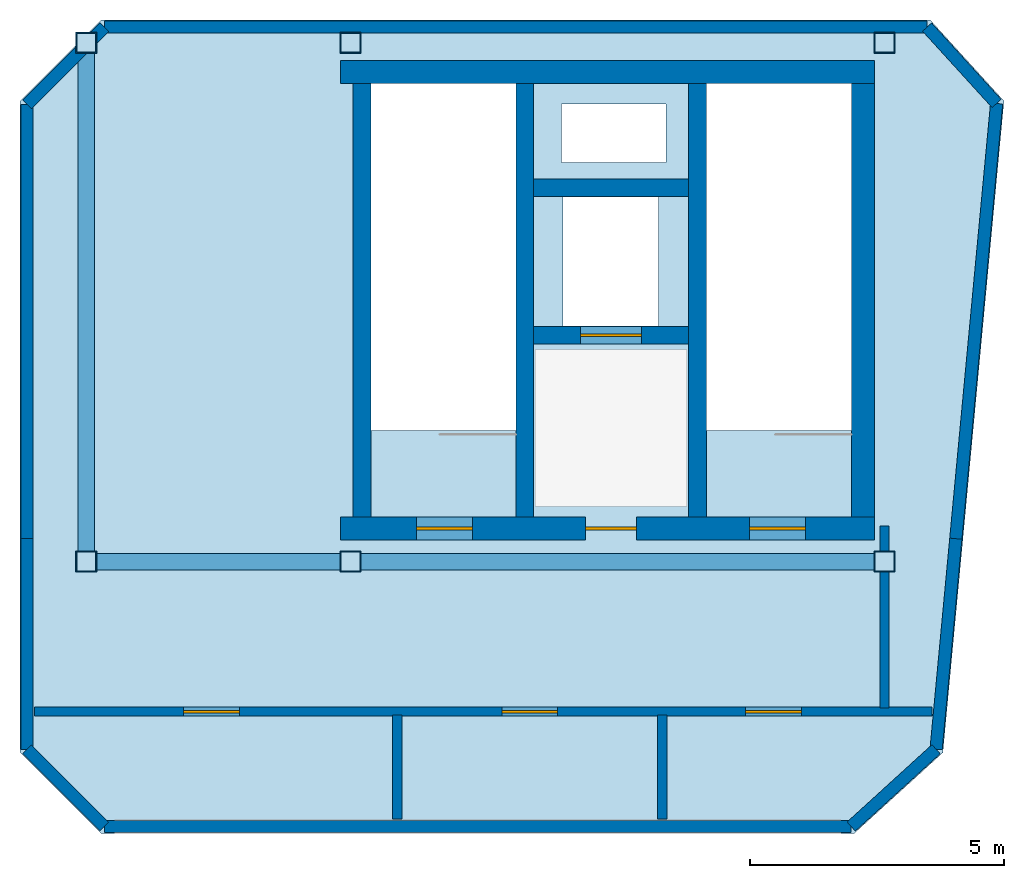
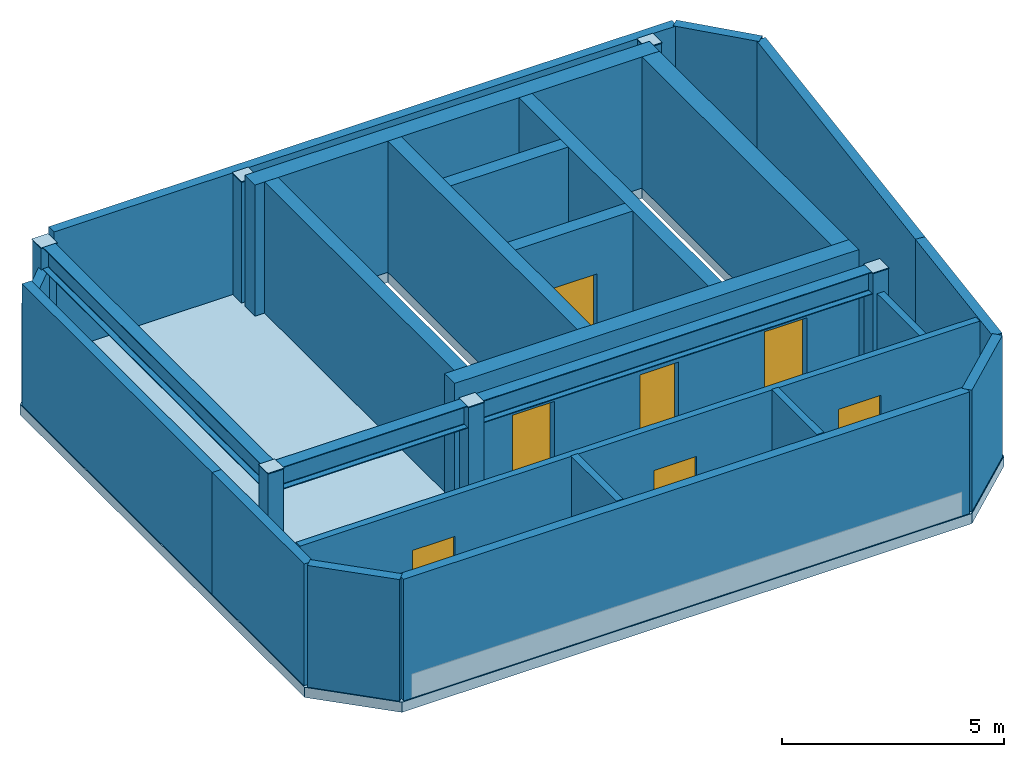
# One storey, part 1 of 2: 22 walls, 7 doors, 6 columns, 6 plates, 3 beams, 1 slab, 7 openings.
"""IFC4 building model written with IfcOpenShell, lengths in metres."""

from ifc_helpers import new_model, si_unit, direction, frame, frame_2d, origin, origin_2d, place, context, subcontext, project, spatial, polyline, rectangle, hollow_rectangle, i_section, outline, extrude, material, layer, layer_set, material_profile, profile_set, type_object, element, fill, save


model = new_model("IFC4")

# Units and contexts
model_context = context("Model", 3, precision=1e-05, world=origin(), true_north=direction((0.0, 1.0)))
body_context = subcontext(model_context, "Body", "Model", "MODEL_VIEW")
ifc_project = project(units=[si_unit("LENGTHUNIT", "METRE"), si_unit("AREAUNIT", "SQUARE_METRE"), si_unit("VOLUMEUNIT", "CUBIC_METRE"), si_unit("PLANEANGLEUNIT", "RADIAN"), si_unit("MASSUNIT", "GRAM", prefix="KILO")], contexts=[model_context])

# Site, building, storey
site_placement = place(None, origin())
site = spatial("IfcSite", under=ifc_project, at=site_placement, CompositionType="ELEMENT")
building_placement = place(site_placement, origin())
building = spatial("IfcBuilding", under=site, at=building_placement, Name="Kravanh Interchange Tower", CompositionType="ELEMENT")
storey_placement = place(building_placement, frame((0.0, 0.0, 333.60009765625)))
storey = spatial("IfcBuildingStorey", under=building, at=storey_placement, Name="L83", CompositionType="ELEMENT", Elevation=333.60009765625)

# Columns
ifc_material_1 = material(Name="Structural Steel S355", Category="steel")
ifc_material_profile_1 = material_profile(ifc_material_1, hollow_rectangle(XDim=0.39990234375, YDim=0.39990234375, WallThickness=0.01611328125, at=origin_2d()), Name="HSS400X400X16")
ifc_profile_set_1 = profile_set([ifc_material_profile_1], Name="Structural Steel S355")
column_type = type_object("IfcColumnType", Name="Column HSS400X400X16 Structural Steel S355", PredefinedType="COLUMN", material=ifc_profile_set_1)
for number, where, z_axis, x_axis, name in (
    (1, (66.5, 47.550048828125, 0.0), (0.0, 0.0, 1.0), (1.0, 0.0, 0.0), "L83 Column CS01"),
    (2, (56.0, 47.550048828125, 0.0), (0.0, 0.0, 1.0), (1.0, 0.0, 0.0), "L83 Column CS02"),
    (3, (66.5, 37.35009765625, 0.0), (0.0, 0.0, 1.0), (1.0, 0.0, 0.0), "L83 Column CS03"),
    (4, (56.0, 37.35009765625, 0.0), (0.0, 0.0, 1.0), (1.0, 0.0, 0.0), "L83 Column CS04"),
    (5, (50.800048828125, 47.550048828125, 0.0), (0.0, 0.0, 1.0), (1.0, 0.0, 0.0), "L83 Column CS05"),
    (6, (50.800048828125, 37.35009765625, 0.0), (0.0, 0.0, 1.0), (1.0, 0.0, 0.0), "L83 Column CS06"),
):
    element("IfcColumn", number, at=place(storey_placement, frame(where, z_axis=z_axis, x_axis=x_axis)), inside=storey, type_object=column_type, Name=name, PredefinedType="COLUMN", context=body_context, shape_type="SweptSolid", body=[
        extrude(hollow_rectangle(XDim=0.39990234375, YDim=0.39990234375, WallThickness=0.01611328125, at=origin_2d()), origin(), (0.0, 0.0, 1.0), 3.31494140625),
    ])

# Beams
ifc_material_2 = material(Name="Structural Steel S355", Category="steel")
ifc_material_profile_2 = material_profile(ifc_material_2, i_section(OverallWidth=0.323974609375, OverallDepth=0.611083984375, WebThickness=0.0126953125, FlangeThickness=0.01904296875, FilletRadius=0.02197265625, at=origin_2d()), Name="W24X104")
ifc_profile_set_2 = profile_set([ifc_material_profile_2], Name="Structural Steel S355")
beam_type = type_object("IfcBeamType", Name="Floor Beam W24X104 Structural Steel S355", PredefinedType="BEAM", material=ifc_profile_set_2)
beam_1_placement = place(storey_placement, frame((66.5, 37.35009765625, 3.034423828125), z_axis=(-1.0, 0.0, 0.0), x_axis=(0.0, -1.0, 0.0)))
element("IfcBeam", 7, at=beam_1_placement, inside=storey, type_object=beam_type, Name="L83 Primary Floor Girder 5", PredefinedType="BEAM", context=body_context, shape_type="SweptSolid", body=[
    extrude(i_section(OverallWidth=0.323974609375, OverallDepth=0.611083984375, WebThickness=0.0126953125, FlangeThickness=0.01904296875, FilletRadius=0.02197265625, at=origin_2d()), origin(), (0.0, 0.0, 1.0), 10.5),
])
beam_2_placement = place(storey_placement, frame((56.0, 37.35009765625, 3.034423828125), z_axis=(-1.0, 0.0, 0.0), x_axis=(0.0, -1.0, 0.0)))
element("IfcBeam", 8, at=beam_2_placement, inside=storey, type_object=beam_type, Name="L83 Primary Floor Girder 6", PredefinedType="BEAM", context=body_context, shape_type="SweptSolid", body=[
    extrude(i_section(OverallWidth=0.323974609375, OverallDepth=0.611083984375, WebThickness=0.0126953125, FlangeThickness=0.01904296875, FilletRadius=0.02197265625, at=origin_2d()), origin(), (0.0, 0.0, 1.0), 5.199951171875),
])
beam_3_placement = place(storey_placement, frame((50.800048828125, 47.550048828125, 3.034423828125), z_axis=(0.0, -1.0, 0.0), x_axis=(1.0, 0.0, 0.0)))
element("IfcBeam", 9, at=beam_3_placement, inside=storey, type_object=beam_type, Name="L83 Primary Floor Girder 7", PredefinedType="BEAM", context=body_context, shape_type="SweptSolid", body=[
    extrude(i_section(OverallWidth=0.323974609375, OverallDepth=0.611083984375, WebThickness=0.0126953125, FlangeThickness=0.01904296875, FilletRadius=0.02197265625, at=origin_2d()), origin(), (0.0, 0.0, 1.0), 10.199951171875),
])

# Plates
ifc_material_3 = material(Name="Structural Steel S355", Category="steel")
ifc_layer_1 = layer(ifc_material_3, 0.02490234375)
ifc_layer_set_1 = layer_set([ifc_layer_1], Name="Column End Cap Plate 420x420x25 S355")
plate_type = type_object("IfcPlateType", Name="Column End Cap Plate 420x420x25 S355", PredefinedType="SHEET", material=ifc_layer_set_1)
for number, where, z_axis, x_axis, name in (
    (10, (66.5, 47.550048828125, 3.31494140625), (0.0, 0.0, 1.0), (1.0, 0.0, 0.0), "L83 Hollow Column CS01 End Cap Plate"),
    (11, (56.0, 47.550048828125, 3.31494140625), (0.0, 0.0, 1.0), (1.0, 0.0, 0.0), "L83 Hollow Column CS02 End Cap Plate"),
    (12, (66.5, 37.35009765625, 3.31494140625), (0.0, 0.0, 1.0), (1.0, 0.0, 0.0), "L83 Hollow Column CS03 End Cap Plate"),
    (13, (56.0, 37.35009765625, 3.31494140625), (0.0, 0.0, 1.0), (1.0, 0.0, 0.0), "L83 Hollow Column CS04 End Cap Plate"),
    (14, (50.800048828125, 47.550048828125, 3.31494140625), (0.0, 0.0, 1.0), (1.0, 0.0, 0.0), "L83 Hollow Column CS05 End Cap Plate"),
    (15, (50.800048828125, 37.35009765625, 3.31494140625), (0.0, 0.0, 1.0), (1.0, 0.0, 0.0), "L83 Hollow Column CS06 End Cap Plate"),
):
    element("IfcPlate", number, at=place(storey_placement, frame(where, z_axis=z_axis, x_axis=x_axis)), inside=storey, type_object=plate_type, Name=name, PredefinedType="SHEET", context=body_context, shape_type="SweptSolid", body=[
        extrude(rectangle(XDim=0.419921875, YDim=0.419921875, at=origin_2d()), origin(), (0.0, 0.0, 1.0), 0.02490234375),
    ])

# Slab
ifc_material_4 = material(Name="Concrete C60/75", Category="concrete")
ifc_layer_2 = layer(ifc_material_4, 0.280029296875)
ifc_layer_set_2 = layer_set([ifc_layer_2], Name="Composite Floor Slab Concrete C60/75 280mm")
slab_type = type_object("IfcSlabType", Name="Composite Floor Slab Concrete C60/75 280mm", PredefinedType="FLOOR", material=ifc_layer_set_2)
slab_placement = place(storey_placement, frame((0.0, 0.0, -0.280029296875)))
element("IfcSlab", 16, at=slab_placement, inside=storey, type_object=slab_type, Name="L83 Structural Floor Slab", PredefinedType="FLOOR", context=body_context, shape_type="SweptSolid", body=[
    extrude(outline(polyline([(49.5, 33.60009765625), (51.10009765625, 32.0), (65.89990234375, 32.0), (67.6494140625, 33.593017578125), (68.8505859375, 46.406982421875), (67.39990234375, 48.0), (51.10009765625, 48.0), (49.5, 46.39990234375), (49.5, 33.60009765625)]), holes=[polyline([(65.85009765625, 39.925048828125), (65.85009765625, 46.75), (63.0, 46.75), (63.0, 39.925048828125), (65.85009765625, 39.925048828125)]), polyline([(59.25, 39.925048828125), (59.25, 46.75), (56.39990234375, 46.75), (56.39990234375, 39.925048828125), (59.25, 39.925048828125)]), polyline([(60.179931640625, 41.97998046875), (62.06005859375, 41.97998046875), (62.06005859375, 44.52001953125), (60.179931640625, 44.52001953125), (60.179931640625, 41.97998046875)]), polyline([(60.14990234375, 45.199951171875), (62.199951171875, 45.199951171875), (62.199951171875, 46.35009765625), (60.14990234375, 46.35009765625), (60.14990234375, 45.199951171875)])]), origin(), (0.0, 0.0, 1.0), 0.280029296875),
])

# Walls
ifc_material_5 = material(Name="Concrete C60/75", Category="concrete")
ifc_layer_3 = layer(ifc_material_5, 0.35009765625)
ifc_layer_set_3 = layer_set([ifc_layer_3], Name="Core Shear Wall Concrete C60/75 350mm")
wall_type_1 = type_object("IfcWallType", Name="Core Shear Wall Concrete C60/75 350mm", PredefinedType="SHEAR", material=ifc_layer_set_3)
for number, where, z_axis, x_axis, name in (
    (17, (62.824951171875, 38.22509765625, 0.0), (0.0, 0.0, 1.0), (0.0, 1.0, 0.0), "L83 Stair ST1 West Shear Wall"),
    (18, (59.425048828125, 38.22509765625, 0.0), (0.0, 0.0, 1.0), (0.0, 1.0, 0.0), "L83 Stair ST2 East Shear Wall"),
    (19, (56.22509765625, 38.22509765625, 0.0), (0.0, 0.0, 1.0), (0.0, 1.0, 0.0), "L83 Stair ST2 West Shear Wall"),
):
    element("IfcWall", number, at=place(storey_placement, frame(where, z_axis=z_axis, x_axis=x_axis)), inside=storey, type_object=wall_type_1, Name=name, PredefinedType="SHEAR", context=body_context, shape_type="SweptSolid", body=[
        extrude(rectangle(XDim=8.52490234375, YDim=0.35009765625, at=frame_2d((4.262451171875, 0.0))), origin(), (0.0, 0.0, 1.0), 3.599853515625),
    ])

# Wall, opening, door
wall_1_placement = place(storey_placement, frame((59.60009765625, 41.800048828125, 0.0), z_axis=(0.0, 0.0, 1.0), x_axis=(1.0, 0.0, 0.0)))
wall_1 = element("IfcWall", 20, at=wall_1_placement, inside=storey, type_object=wall_type_1, Name="L83 Service Lift Shaft South Wall", PredefinedType="SHEAR", context=body_context, shape_type="SweptSolid", body=[
    extrude(rectangle(XDim=3.0498046875, YDim=0.35009765625, at=frame_2d((1.52490234375, 0.0))), origin(), (0.0, 0.0, 1.0), 3.599853515625),
])
opening_1_placement = place(wall_1_placement, frame((0.919921875, 0.0, 0.0)))
opening_1 = element("IfcOpeningElement", 21, at=opening_1_placement, cuts=wall_1, Name="Opening LD02", PredefinedType="OPENING", context=body_context, shape_type="SweptSolid", body=[
    extrude(rectangle(XDim=1.199951171875, YDim=2.199951171875, at=frame_2d((0.60009765625, 1.10009765625))), frame((0.0, 0.18505859375, 0.0), z_axis=(0.0, -1.0, 0.0), x_axis=(1.0, 0.0, 0.0)), (0.0, 0.0, 1.0), 0.3701171875),
])
ifc_material_6 = material(Name="Stainless Steel 316", Category="steel")
door_type_1 = type_object("IfcDoorType", Name="Fire and Service Lift Sliding Landing Door 1200x2200", OperationType="DOUBLE_DOOR_SLIDING", PredefinedType="DOOR", material=ifc_material_6)
door_1_placement = place(opening_1_placement, origin())
door_1 = element("IfcDoor", 22, at=door_1_placement, inside=storey, type_object=door_type_1, Name="L83 Lift LS-01 Landing Door", OperationType="DOUBLE_DOOR_SLIDING", OverallHeight=2.199951171875, OverallWidth=1.199951171875, PredefinedType="DOOR", context=body_context, shape_type="SweptSolid", body=[
    extrude(rectangle(XDim=1.199951171875, YDim=2.199951171875, at=frame_2d((0.60009765625, 1.10009765625))), frame((0.0, 0.02490234375, 0.0), z_axis=(0.0, -1.0, 0.0), x_axis=(1.0, 0.0, 0.0)), (0.0, 0.0, 1.0), 0.050048828125),
])
fill(opening_1, door_1)

# Walls
wall_2_placement = place(storey_placement, frame((59.60009765625, 44.699951171875, 0.0), z_axis=(0.0, 0.0, 1.0), x_axis=(1.0, 0.0, 0.0)))
element("IfcWall", 23, at=wall_2_placement, inside=storey, type_object=wall_type_1, Name="L83 Service Lift Shaft North Wall", PredefinedType="SHEAR", context=body_context, shape_type="SweptSolid", body=[
    extrude(rectangle(XDim=3.0498046875, YDim=0.35009765625, at=frame_2d((1.52490234375, 0.0))), origin(), (0.0, 0.0, 1.0), 3.599853515625),
])
ifc_material_7 = material(Name="Concrete C60/75", Category="concrete")
ifc_layer_4 = layer(ifc_material_7, 0.449951171875)
ifc_layer_set_4 = layer_set([ifc_layer_4], Name="Core Shear Wall Concrete C60/75 450mm")
wall_type_2 = type_object("IfcWallType", Name="Core Shear Wall Concrete C60/75 450mm", PredefinedType="SHEAR", material=ifc_layer_set_4)
wall_3_placement = place(storey_placement, frame((55.800048828125, 46.97509765625, 0.0), z_axis=(0.0, 0.0, 1.0), x_axis=(1.0, 0.0, 0.0)))
element("IfcWall", 24, at=wall_3_placement, inside=storey, type_object=wall_type_2, Name="L83 North Core Shear Wall", PredefinedType="SHEAR", context=body_context, shape_type="SweptSolid", body=[
    extrude(rectangle(XDim=10.5, YDim=0.449951171875, at=frame_2d((5.25, 0.0))), origin(), (0.0, 0.0, 1.0), 3.599853515625),
])

# Wall, openings, doors
wall_4_placement = place(storey_placement, frame((55.800048828125, 38.0, 0.0), z_axis=(0.0, 0.0, 1.0), x_axis=(1.0, 0.0, 0.0)))
wall_4 = element("IfcWall", 25, at=wall_4_placement, inside=storey, type_object=wall_type_2, Name="L83 East Core South Shear Wall", PredefinedType="SHEAR", context=body_context, shape_type="SweptSolid", body=[
    extrude(rectangle(XDim=10.5, YDim=0.449951171875, at=frame_2d((5.25, 0.0))), origin(), (0.0, 0.0, 1.0), 3.599853515625),
])
opening_2_placement = place(wall_4_placement, frame((1.5, 0.0, 0.0)))
opening_2 = element("IfcOpeningElement", 26, at=opening_2_placement, cuts=wall_4, Name="Opening D-STAIR-110", PredefinedType="OPENING", context=body_context, shape_type="SweptSolid", body=[
    extrude(rectangle(XDim=1.10009765625, YDim=2.199951171875, at=frame_2d((0.550048828125, 1.10009765625))), frame((0.0, 0.23486328125, 0.0), z_axis=(0.0, -1.0, 0.0), x_axis=(1.0, 0.0, 0.0)), (0.0, 0.0, 1.0), 0.469970703125),
])
opening_3_placement = place(wall_4_placement, frame((4.820068359375, 0.0, 0.0)))
opening_3 = element("IfcOpeningElement", 27, at=opening_3_placement, cuts=wall_4, Name="Opening D-HOTEL-100", PredefinedType="OPENING", context=body_context, shape_type="SweptSolid", body=[
    extrude(rectangle(XDim=1.0, YDim=2.14990234375, at=frame_2d((0.5, 1.074951171875))), frame((0.0, 0.23486328125, 0.0), z_axis=(0.0, -1.0, 0.0), x_axis=(1.0, 0.0, 0.0)), (0.0, 0.0, 1.0), 0.469970703125),
])
opening_4_placement = place(wall_4_placement, frame((8.050048828125, 0.0, 0.0)))
opening_4 = element("IfcOpeningElement", 28, at=opening_4_placement, cuts=wall_4, Name="Opening D-STAIR-110", PredefinedType="OPENING", context=body_context, shape_type="SweptSolid", body=[
    extrude(rectangle(XDim=1.10009765625, YDim=2.199951171875, at=frame_2d((0.550048828125, 1.10009765625))), frame((0.0, 0.23486328125, 0.0), z_axis=(0.0, -1.0, 0.0), x_axis=(1.0, 0.0, 0.0)), (0.0, 0.0, 1.0), 0.469970703125),
])
ifc_material_8 = material(Name="Structural Steel S355", Category="steel")
door_type_2 = type_object("IfcDoorType", Name="Fire-Rated Exit Stair Door 1100x2200", OperationType="NOTDEFINED", PredefinedType="DOOR", material=ifc_material_8)
door_2_placement = place(opening_2_placement, origin())
door_2 = element("IfcDoor", 29, at=door_2_placement, inside=storey, type_object=door_type_2, Name="L83 Exit Stair ST2 Door", OperationType="SINGLE_SWING_RIGHT", OverallHeight=2.199951171875, OverallWidth=1.10009765625, PredefinedType="DOOR", context=body_context, shape_type="SweptSolid", body=[
    extrude(rectangle(XDim=1.10009765625, YDim=2.199951171875, at=frame_2d((0.550048828125, 1.10009765625))), frame((0.0, 0.02490234375, 0.0), z_axis=(0.0, -1.0, 0.0), x_axis=(1.0, 0.0, 0.0)), (0.0, 0.0, 1.0), 0.050048828125),
])
fill(opening_2, door_2)
door_3_placement = place(opening_4_placement, origin())
door_3 = element("IfcDoor", 30, at=door_3_placement, inside=storey, type_object=door_type_2, Name="L83 Exit Stair ST1 Door", OperationType="SINGLE_SWING_RIGHT", OverallHeight=2.199951171875, OverallWidth=1.10009765625, PredefinedType="DOOR", context=body_context, shape_type="SweptSolid", body=[
    extrude(rectangle(XDim=1.10009765625, YDim=2.199951171875, at=frame_2d((0.550048828125, 1.10009765625))), frame((0.0, 0.02490234375, 0.0), z_axis=(0.0, -1.0, 0.0), x_axis=(1.0, 0.0, 0.0)), (0.0, 0.0, 1.0), 0.050048828125),
])
fill(opening_4, door_3)
ifc_material_9 = material(Name="Fire-Rated Solid Timber Leaf", Category="wood")
door_type_3 = type_object("IfcDoorType", Name="Fire-Rated Suite Entrance Door 1000x2150", OperationType="NOTDEFINED", PredefinedType="DOOR", material=ifc_material_9)
door_4_placement = place(opening_3_placement, origin())
door_4 = element("IfcDoor", 31, at=door_4_placement, inside=storey, type_object=door_type_3, Name="L83 Service Lift Lobby Door", OperationType="SINGLE_SWING_RIGHT", OverallHeight=2.14990234375, OverallWidth=1.0, PredefinedType="DOOR", context=body_context, shape_type="SweptSolid", body=[
    extrude(rectangle(XDim=1.0, YDim=2.14990234375, at=frame_2d((0.5, 1.074951171875))), frame((0.0, 0.02490234375, 0.0), z_axis=(0.0, -1.0, 0.0), x_axis=(1.0, 0.0, 0.0)), (0.0, 0.0, 1.0), 0.050048828125),
])
fill(opening_3, door_4)

# Walls
wall_5_placement = place(storey_placement, frame((66.074951171875, 38.22509765625, 0.0), z_axis=(0.0, 0.0, 1.0), x_axis=(0.0, 1.0, 0.0)))
element("IfcWall", 32, at=wall_5_placement, inside=storey, type_object=wall_type_2, Name="L83 Stair ST1 East Shear Wall", PredefinedType="SHEAR", context=body_context, shape_type="SweptSolid", body=[
    extrude(rectangle(XDim=8.52490234375, YDim=0.449951171875, at=frame_2d((4.262451171875, 0.0))), origin(), (0.0, 0.0, 1.0), 3.599853515625),
])
ifc_material_10 = material(Name="Insulated Concrete C40/50 with Bronze Rainscreen", Category="concrete")
ifc_layer_5 = layer(ifc_material_10, 0.239990234375)
ifc_layer_set_5 = layer_set([ifc_layer_5], Name="Exterior Insulated Concrete C40/50 Crown Enclosure Wall 240mm")
wall_type_3 = type_object("IfcWallType", Name="Exterior Insulated Concrete C40/50 Crown Enclosure Wall 240mm", PredefinedType="STANDARD", material=ifc_layer_set_5)
wall_6_placement = place(storey_placement, frame((49.639892578125, 33.657958984375, 0.0), z_axis=(0.0, 0.0, 1.0), x_axis=(0.0, 1.0, 0.0)))
element("IfcWall", 33, at=wall_6_placement, inside=storey, type_object=wall_type_3, Name="L83 Exterior Enclosure Wall 1", PredefinedType="STANDARD", context=body_context, shape_type="SweptSolid", body=[
    extrude(rectangle(XDim=4.14208984375, YDim=0.239990234375, at=frame_2d((2.071044921875, 0.0))), origin(), (0.0, 0.0, 1.0), 3.33984375),
])
wall_7_placement = place(storey_placement, frame((49.639892578125, 37.800048828125, 0.0), z_axis=(0.0, 0.0, 1.0), x_axis=(0.0, 1.0, 0.0)))
element("IfcWall", 34, at=wall_7_placement, inside=storey, type_object=wall_type_3, Name="L83 Exterior Enclosure Wall 2", PredefinedType="STANDARD", context=body_context, shape_type="SweptSolid", body=[
    extrude(rectangle(XDim=8.5419921875, YDim=0.239990234375, at=frame_2d((4.27099609375, 0.0))), origin(), (0.0, 0.0, 1.0), 3.33984375),
])
wall_8_placement = place(storey_placement, frame((49.639892578125, 46.342041015625, 0.0), z_axis=(0.0, 0.0, 1.0), x_axis=(0.707106781187, 0.707106781187, 0.0)))
element("IfcWall", 35, at=wall_8_placement, inside=storey, type_object=wall_type_3, Name="L83 Exterior Enclosure Wall 3", PredefinedType="STANDARD", context=body_context, shape_type="SweptSolid", body=[
    extrude(rectangle(XDim=2.14697265625, YDim=0.239990234375, at=frame_2d((1.073486328125, 0.0))), origin(), (0.0, 0.0, 1.0), 2.72900390625),
])
wall_9_placement = place(storey_placement, frame((51.157958984375, 47.860107421875, 0.0), z_axis=(0.0, 0.0, 1.0), x_axis=(1.0, 0.0, 0.0)))
element("IfcWall", 36, at=wall_9_placement, inside=storey, type_object=wall_type_3, Name="L83 Exterior Enclosure Wall 4", PredefinedType="STANDARD", context=body_context, shape_type="SweptSolid", body=[
    extrude(rectangle(XDim=16.18017578125, YDim=0.239990234375, at=frame_2d((8.090087890625, 0.0))), origin(), (0.0, 0.0, 1.0), 3.33984375),
])
wall_10_placement = place(storey_placement, frame((67.338134765625, 47.860107421875, 0.0), z_axis=(0.0, 0.0, 1.0), x_axis=(0.673276865928, -0.739390466402, 0.0)))
element("IfcWall", 37, at=wall_10_placement, inside=storey, type_object=wall_type_3, Name="L83 Exterior Enclosure Wall 5", PredefinedType="STANDARD", context=body_context, shape_type="SweptSolid", body=[
    extrude(rectangle(XDim=2.031005859375, YDim=0.239990234375, at=frame_2d((1.015625, 0.0))), origin(), (0.0, 0.0, 1.0), 3.33984375),
])
wall_11_placement = place(storey_placement, frame((68.70556640625, 46.3583984375, 0.0), z_axis=(0.0, 0.0, 1.0), x_axis=(-0.093357425452, -0.995632658722, 0.0)))
element("IfcWall", 38, at=wall_11_placement, inside=storey, type_object=wall_type_3, Name="L83 Exterior Enclosure Wall 6", PredefinedType="STANDARD", context=body_context, shape_type="SweptSolid", body=[
    extrude(rectangle(XDim=8.595947265625, YDim=0.239990234375, at=frame_2d((4.2978515625, 0.0))), origin(), (0.0, 0.0, 1.0), 3.33984375),
])
wall_12_placement = place(storey_placement, frame((67.903076171875, 37.800048828125, 0.0), z_axis=(0.0, 0.0, 1.0), x_axis=(-0.093351621222, -0.995633202949, 0.0)))
element("IfcWall", 39, at=wall_12_placement, inside=storey, type_object=wall_type_3, Name="L83 Exterior Enclosure Wall 7", PredefinedType="STANDARD", context=body_context, shape_type="SweptSolid", body=[
    extrude(rectangle(XDim=4.158203125, YDim=0.239990234375, at=frame_2d((2.0791015625, 0.0))), origin(), (0.0, 0.0, 1.0), 3.33984375),
])
wall_13_placement = place(storey_placement, frame((67.514892578125, 33.659912109375, 0.0), z_axis=(0.0, 0.0, 1.0), x_axis=(-0.739372182695, -0.673296944488, 0.0)))
element("IfcWall", 40, at=wall_13_placement, inside=storey, type_object=wall_type_3, Name="L83 Exterior Enclosure Wall 8", PredefinedType="STANDARD", context=body_context, shape_type="SweptSolid", body=[
    extrude(rectangle(XDim=2.257568359375, YDim=0.239990234375, at=frame_2d((1.12890625, 0.0))), origin(), (0.0, 0.0, 1.0), 3.33984375),
])
wall_14_placement = place(storey_placement, frame((65.845703125, 32.139892578125, 0.0), z_axis=(0.0, 0.0, 1.0), x_axis=(-1.0, 0.0, 0.0)))
element("IfcWall", 41, at=wall_14_placement, inside=storey, type_object=wall_type_3, Name="L83 Exterior Enclosure Wall 9", PredefinedType="STANDARD", context=body_context, shape_type="SweptSolid", body=[
    extrude(rectangle(XDim=14.687744140625, YDim=0.239990234375, at=frame_2d((7.34375, 0.0))), origin(), (0.0, 0.0, 1.0), 3.33984375),
])
wall_15_placement = place(storey_placement, frame((51.157958984375, 32.139892578125, 0.0), z_axis=(0.0, 0.0, 1.0), x_axis=(-0.707106781187, 0.707106781187, 0.0)))
element("IfcWall", 42, at=wall_15_placement, inside=storey, type_object=wall_type_3, Name="L83 Exterior Enclosure Wall 10", PredefinedType="STANDARD", context=body_context, shape_type="SweptSolid", body=[
    extrude(rectangle(XDim=2.14697265625, YDim=0.239990234375, at=frame_2d((1.073486328125, 0.0))), origin(), (0.0, 0.0, 1.0), 3.33984375),
])

# Wall, openings, doors
ifc_material_11 = material(Name="Autoclaved Aerated Concrete C30/37 Blockwork", Category="masonry")
ifc_layer_6 = layer(ifc_material_11, 0.179931640625)
ifc_layer_set_6 = layer_set([ifc_layer_6], Name="Fire-Rated Lobby and Corridor Wall Concrete C30/37 180mm")
wall_type_4 = type_object("IfcWallType", Name="Fire-Rated Lobby and Corridor Wall Concrete C30/37 180mm", PredefinedType="STANDARD", material=ifc_layer_set_6)
wall_16_placement = place(storey_placement, frame((49.784912109375, 34.39990234375, 0.0), z_axis=(0.0, 0.0, 1.0), x_axis=(1.0, 0.0, 0.0)))
wall_16 = element("IfcWall", 43, at=wall_16_placement, inside=storey, type_object=wall_type_4, Name="L83 Interior Partition 1", PredefinedType="STANDARD", context=body_context, shape_type="SweptSolid", body=[
    extrude(rectangle(XDim=17.65380859375, YDim=0.179931640625, at=frame_2d((8.826904296875, 0.0))), origin(), (0.0, 0.0, 1.0), 3.33984375),
])
opening_5_placement = place(wall_16_placement, frame((2.929443359375, 0.0, 0.0)))
opening_5 = element("IfcOpeningElement", 44, at=opening_5_placement, cuts=wall_16, Name="Opening D-STAIR-110", PredefinedType="OPENING", context=body_context, shape_type="SweptSolid", body=[
    extrude(rectangle(XDim=1.10009765625, YDim=2.199951171875, at=frame_2d((0.550048828125, 1.10009765625))), frame((0.0, 0.10009765625, 0.0), z_axis=(0.0, -1.0, 0.0), x_axis=(1.0, 0.0, 0.0)), (0.0, 0.0, 1.0), 0.199951171875),
])
opening_6_placement = place(wall_16_placement, frame((9.18994140625, 0.0, 0.0)))
opening_6 = element("IfcOpeningElement", 45, at=opening_6_placement, cuts=wall_16, Name="Opening D-STAIR-110", PredefinedType="OPENING", context=body_context, shape_type="SweptSolid", body=[
    extrude(rectangle(XDim=1.10009765625, YDim=2.199951171875, at=frame_2d((0.550048828125, 1.10009765625))), frame((0.0, 0.10009765625, 0.0), z_axis=(0.0, -1.0, 0.0), x_axis=(1.0, 0.0, 0.0)), (0.0, 0.0, 1.0), 0.199951171875),
])
opening_7_placement = place(wall_16_placement, frame((13.97998046875, 0.0, 0.0)))
opening_7 = element("IfcOpeningElement", 46, at=opening_7_placement, cuts=wall_16, Name="Opening D-STAIR-110", PredefinedType="OPENING", context=body_context, shape_type="SweptSolid", body=[
    extrude(rectangle(XDim=1.10009765625, YDim=2.199951171875, at=frame_2d((0.550048828125, 1.10009765625))), frame((0.0, 0.10009765625, 0.0), z_axis=(0.0, -1.0, 0.0), x_axis=(1.0, 0.0, 0.0)), (0.0, 0.0, 1.0), 0.199951171875),
])
door_5_placement = place(opening_5_placement, origin())
door_5 = element("IfcDoor", 47, at=door_5_placement, inside=storey, type_object=door_type_2, Name="L83 Plant Room 1 Door", OperationType="SINGLE_SWING_LEFT", OverallHeight=2.199951171875, OverallWidth=1.10009765625, PredefinedType="DOOR", context=body_context, shape_type="SweptSolid", body=[
    extrude(rectangle(XDim=1.10009765625, YDim=2.199951171875, at=frame_2d((0.550048828125, 1.10009765625))), frame((0.0, 0.02490234375, 0.0), z_axis=(0.0, -1.0, 0.0), x_axis=(1.0, 0.0, 0.0)), (0.0, 0.0, 1.0), 0.050048828125),
])
fill(opening_5, door_5)
door_6_placement = place(opening_6_placement, origin())
door_6 = element("IfcDoor", 48, at=door_6_placement, inside=storey, type_object=door_type_2, Name="L83 Plant Room 2 Door", OperationType="SINGLE_SWING_RIGHT", OverallHeight=2.199951171875, OverallWidth=1.10009765625, PredefinedType="DOOR", context=body_context, shape_type="SweptSolid", body=[
    extrude(rectangle(XDim=1.10009765625, YDim=2.199951171875, at=frame_2d((0.550048828125, 1.10009765625))), frame((0.0, 0.02490234375, 0.0), z_axis=(0.0, -1.0, 0.0), x_axis=(1.0, 0.0, 0.0)), (0.0, 0.0, 1.0), 0.050048828125),
])
fill(opening_6, door_6)
door_7_placement = place(opening_7_placement, origin())
door_7 = element("IfcDoor", 49, at=door_7_placement, inside=storey, type_object=door_type_2, Name="L83 Plant Room 3 Door", OperationType="SINGLE_SWING_LEFT", OverallHeight=2.199951171875, OverallWidth=1.10009765625, PredefinedType="DOOR", context=body_context, shape_type="SweptSolid", body=[
    extrude(rectangle(XDim=1.10009765625, YDim=2.199951171875, at=frame_2d((0.550048828125, 1.10009765625))), frame((0.0, 0.02490234375, 0.0), z_axis=(0.0, -1.0, 0.0), x_axis=(1.0, 0.0, 0.0)), (0.0, 0.0, 1.0), 0.050048828125),
])
fill(opening_7, door_7)

# Walls
wall_17_placement = place(storey_placement, frame((66.5, 34.468017578125, 0.0), z_axis=(0.0, 0.0, 1.0), x_axis=(0.0, 1.0, 0.0)))
element("IfcWall", 50, at=wall_17_placement, inside=storey, type_object=wall_type_4, Name="L83 Interior Partition 2", PredefinedType="STANDARD", context=body_context, shape_type="SweptSolid", body=[
    extrude(rectangle(XDim=3.58203125, YDim=0.179931640625, at=frame_2d((1.791015625, 0.0))), origin(), (0.0, 0.0, 1.0), 2.72900390625),
])
for number, where, z_axis, x_axis, name in (
    (51, (56.919921875, 32.284912109375, 0.0), (0.0, 0.0, 1.0), (0.0, 1.0, 0.0), "L83 Interior Partition 3"),
    (52, (62.1298828125, 32.284912109375, 0.0), (0.0, 0.0, 1.0), (0.0, 1.0, 0.0), "L83 Interior Partition 4"),
):
    element("IfcWall", number, at=place(storey_placement, frame(where, z_axis=z_axis, x_axis=x_axis)), inside=storey, type_object=wall_type_4, Name=name, PredefinedType="STANDARD", context=body_context, shape_type="SweptSolid", body=[
        extrude(rectangle(XDim=2.047119140625, YDim=0.179931640625, at=frame_2d((1.0234375, 0.0))), origin(), (0.0, 0.0, 1.0), 3.33984375),
    ])

save(model, "model.ifc")
